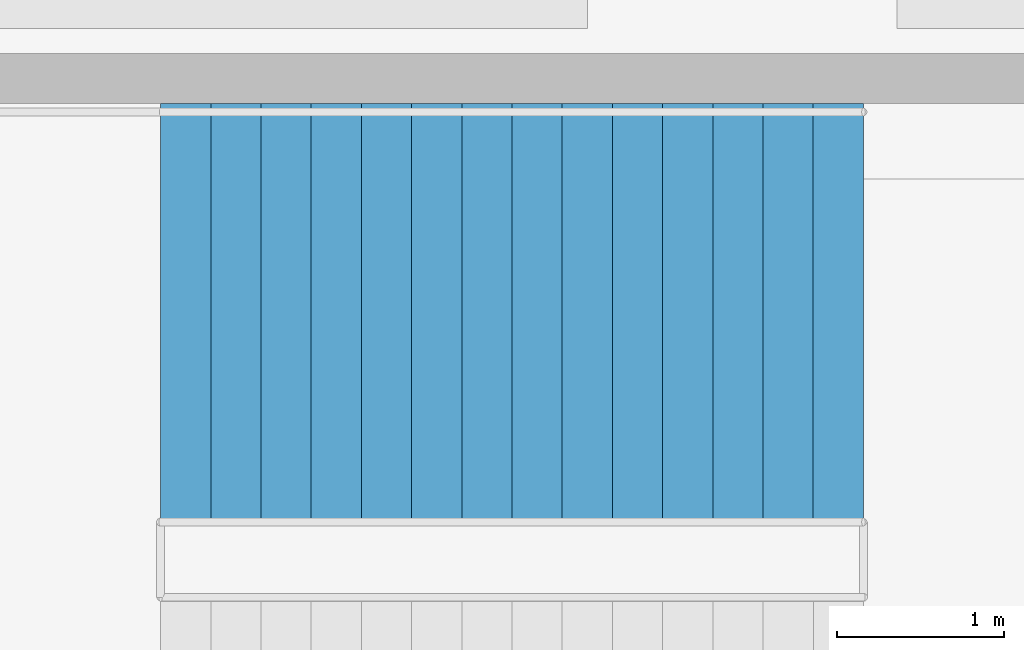
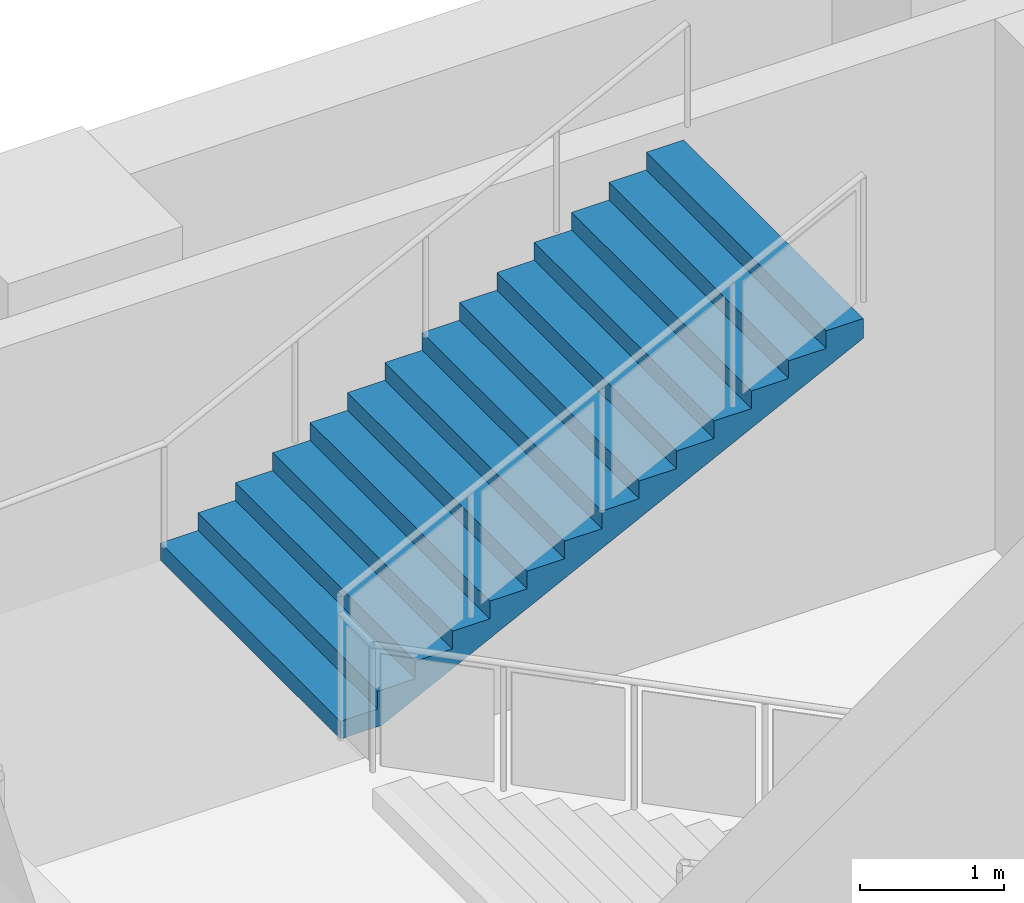
# One storey, part 7 of 11: 1 stair flight, 1 element without a shape of its own.
"""IFC4 building model written with IfcOpenShell, lengths in metres."""

from ifc_helpers import new_model, si_unit, direction, frame, origin, place, context, subcontext, project, spatial, polyline, outline, extrude, material, type_object, element, aggregate, save


model = new_model("IFC4")

# Units and contexts
model_context = context("Model", 3, precision=1e-05, world=origin(), true_north=direction((0.0, 1.0)))
body_context = subcontext(model_context, "Body", "Model", "MODEL_VIEW")
ifc_project = project(units=[si_unit("LENGTHUNIT", "METRE"), si_unit("AREAUNIT", "SQUARE_METRE"), si_unit("VOLUMEUNIT", "CUBIC_METRE"), si_unit("PLANEANGLEUNIT", "RADIAN"), si_unit("MASSUNIT", "GRAM", prefix="KILO")], contexts=[model_context])

# Site, building, storey
site_placement = place(None, origin())
site = spatial("IfcSite", under=ifc_project, at=site_placement, CompositionType="ELEMENT")
building_placement = place(site_placement, origin())
building = spatial("IfcBuilding", under=site, at=building_placement, Name="Mashrafa Tower", CompositionType="ELEMENT")
storey_placement = place(building_placement, frame((0.0, 0.0, -9.0)))
storey = spatial("IfcBuildingStorey", under=building, at=storey_placement, Name="B2", CompositionType="ELEMENT", Elevation=-9.0)

# Stair, stair flight
ifc_material_1 = material(Name="Exit stair 2500")
stair_type = type_object("IfcStairType", Name="Exit stair 2500", PredefinedType="HALF_TURN_STAIR", material=ifc_material_1)
stair_placement = place(storey_placement, origin())
stair = element("IfcStair", 1, at=stair_placement, inside=storey, type_object=stair_type, Name="Stair P2 B2", PredefinedType="HALF_TURN_STAIR")
ifc_material_2 = material(Name="Concrete C32/40", Category="concrete")
stair_flight_type = type_object("IfcStairFlightType", Name="Stair flight 2500", PredefinedType="STRAIGHT", material=ifc_material_2)
stair_flight_placement = place(storey_placement, frame((-7.10009765625, 32.39990234375, 2.25), z_axis=(0.0, 0.0, 1.0), x_axis=(1.0, 0.0, 0.0)))
stair_flight = element("IfcStairFlight", 2, at=stair_flight_placement, type_object=stair_flight_type, Name="P2 flight 2", NumberOfRisers=15, NumberOfTreads=14, PredefinedType="STRAIGHT", RiserHeight=0.15, TreadLength=0.3, context=body_context, shape_type="SweptSolid", body=[
    extrude(outline(polyline([(0.0, 0.0), (0.0, 0.14990234375), (0.300048828125, 0.14990234375), (0.300048828125, 0.300048828125), (0.60009765625, 0.300048828125), (0.60009765625, 0.449951171875), (0.89990234375, 0.449951171875), (0.89990234375, 0.60009765625), (1.199951171875, 0.60009765625), (1.199951171875, 0.75), (1.5, 0.75), (1.5, 0.89990234375), (1.800048828125, 0.89990234375), (1.800048828125, 1.050048828125), (2.10009765625, 1.050048828125), (2.10009765625, 1.199951171875), (2.39990234375, 1.199951171875), (2.39990234375, 1.35009765625), (2.699951171875, 1.35009765625), (2.699951171875, 1.5), (3.0, 1.5), (3.0, 1.64990234375), (3.300048828125, 1.64990234375), (3.300048828125, 1.800048828125), (3.60009765625, 1.800048828125), (3.60009765625, 1.949951171875), (3.89990234375, 1.949951171875), (3.89990234375, 2.10009765625), (4.199951171875, 2.10009765625), (4.199951171875, 2.25), (4.199951171875, 1.932373046875), (0.335205078125, 0.0), (0.0, 0.0)])), frame((0.0, 1.25, 0.0), z_axis=(0.0, -1.0, 0.0), x_axis=(1.0, 0.0, 0.0)), (0.0, 0.0, 1.0), 2.5),
])
aggregate(stair, [stair_flight])

save(model, "model.ifc")
